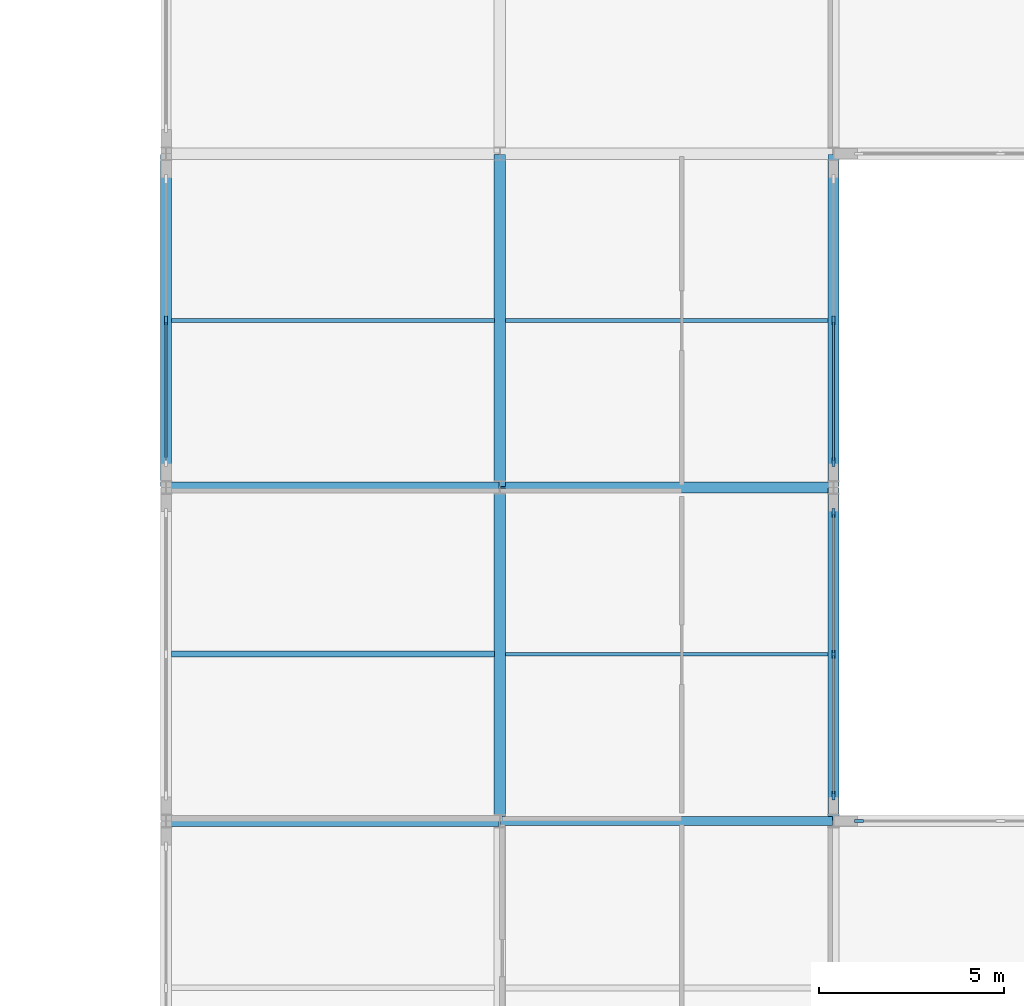
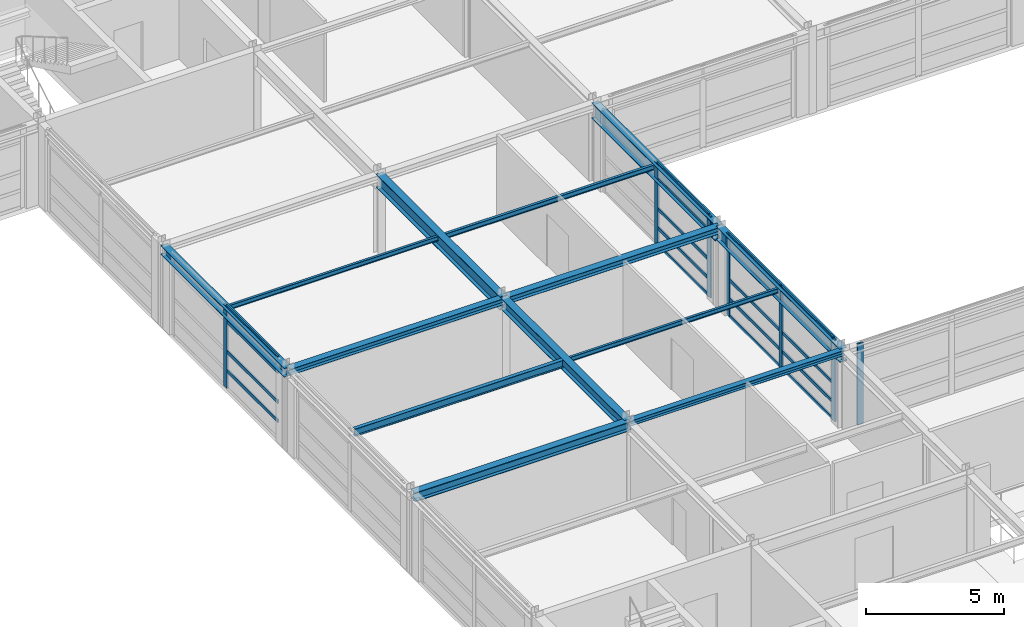
# One storey, part 26 of 79: 26 members, 13 beams, 4 elements without a shape of their own.
"""IFC4 building model written with IfcOpenShell, lengths in metres."""

from ifc_helpers import new_model, si_unit, direction, frame, origin, origin_2d, place, context, subcontext, project, spatial, rectangle, i_section, extrude, material, material_profile, profile_set, type_object, element, aggregate, save


model = new_model("IFC4")

# Units and contexts
model_context = context("Model", 3, precision=1e-05, world=origin(), true_north=direction((0.0, 1.0)))
body_context = subcontext(model_context, "Body", "Model", "MODEL_VIEW")
ifc_project = project(units=[si_unit("LENGTHUNIT", "METRE"), si_unit("AREAUNIT", "SQUARE_METRE"), si_unit("VOLUMEUNIT", "CUBIC_METRE"), si_unit("PLANEANGLEUNIT", "RADIAN"), si_unit("MASSUNIT", "GRAM", prefix="KILO")], contexts=[model_context])

# Site, building, storey
site_placement = place(None, origin())
site = spatial("IfcSite", under=ifc_project, at=site_placement, CompositionType="ELEMENT")
building_placement = place(site_placement, origin())
building = spatial("IfcBuilding", under=site, at=building_placement, Name="Palais des Congres Ocreval", CompositionType="ELEMENT")
storey_placement = place(building_placement, frame((0.0, 0.0, 4.320068359375)))
storey = spatial("IfcBuildingStorey", under=building, at=storey_placement, Name="L01", CompositionType="ELEMENT", Elevation=4.320068359375)

# Curtain wall, member
ifc_material_1 = material(Name="Anodized bronze aluminium and low-E glass", Category="glass")
curtain_wall_type = type_object("IfcCurtainWallType", Name="Unitised Curtain Wall 7900x3660", PredefinedType="USERDEFINED", material=ifc_material_1)
curtain_wall_1_placement = place(storey_placement, origin())
curtain_wall_1 = element("IfcCurtainWall", 1, at=curtain_wall_1_placement, inside=storey, type_object=curtain_wall_type, Name="Unitised Curtain Wall CW02 L01", ObjectType="UNITISED CURTAIN WALL", PredefinedType="USERDEFINED")
ifc_material_2 = material(Name="Anodized bronze aluminium", Category="aluminium")
ifc_material_profile_1 = material_profile(ifc_material_2, rectangle(XDim=0.074951171875, YDim=0.239990234375, at=origin_2d()), Name="ALU 75x240")
ifc_profile_set_1 = profile_set([ifc_material_profile_1], Name="Anodized bronze aluminium")
member_type_1 = type_object("IfcMemberType", Name="Curtain Wall Mullion ALU 75x240", PredefinedType="MULLION", material=ifc_profile_set_1)
member_1_placement = place(storey_placement, frame((108.0, 31.5, 0.0), z_axis=(0.0, 0.0, 1.0), x_axis=(-1.0, 0.0, 0.0)))
member_1 = element("IfcMember", 2, at=member_1_placement, type_object=member_type_1, Name="Curtain Wall Mullion ML01", PredefinedType="MULLION", context=body_context, shape_type="SweptSolid", body=[
    extrude(rectangle(XDim=0.074951171875, YDim=0.239990234375, at=origin_2d()), origin(), (0.0, 0.0, 1.0), 3.599853515625),
])

# Curtain wall, members
curtain_wall_2_placement = place(storey_placement, origin())
curtain_wall_2 = element("IfcCurtainWall", 3, at=curtain_wall_2_placement, inside=storey, type_object=curtain_wall_type, Name="Unitised Curtain Wall CW02 L01", ObjectType="UNITISED CURTAIN WALL", PredefinedType="USERDEFINED")
member_2_placement = place(storey_placement, frame((126.0, 31.5, 0.0), z_axis=(0.0, 0.0, 1.0), x_axis=(1.0, 0.0, 0.0)))
member_2 = element("IfcMember", 4, at=member_2_placement, type_object=member_type_1, Name="Curtain Wall Mullion ML01", PredefinedType="MULLION", context=body_context, shape_type="SweptSolid", body=[
    extrude(rectangle(XDim=0.074951171875, YDim=0.239990234375, at=origin_2d()), origin(), (0.0, 0.0, 1.0), 3.599853515625),
])
member_3_placement = place(storey_placement, frame((126.0, 27.6875, 0.0), z_axis=(0.0, 0.0, 1.0), x_axis=(1.0, 0.0, 0.0)))
member_3 = element("IfcMember", 5, at=member_3_placement, type_object=member_type_1, Name="Curtain Wall Mullion ML01", PredefinedType="MULLION", context=body_context, shape_type="SweptSolid", body=[
    extrude(rectangle(XDim=0.074951171875, YDim=0.239990234375, at=origin_2d()), origin(), (0.0, 0.0, 1.0), 3.599853515625),
])

curtain_wall_3_placement = place(storey_placement, origin())
curtain_wall_3 = element("IfcCurtainWall", 6, at=curtain_wall_3_placement, inside=storey, type_object=curtain_wall_type, Name="Unitised Curtain Wall CW02 L01", ObjectType="UNITISED CURTAIN WALL", PredefinedType="USERDEFINED")
member_4_placement = place(storey_placement, frame((126.0, 26.3125, 0.0), z_axis=(0.0, 0.0, 1.0), x_axis=(1.0, 0.0, 0.0)))
member_4 = element("IfcMember", 7, at=member_4_placement, type_object=member_type_1, Name="Curtain Wall Mullion ML01", PredefinedType="MULLION", context=body_context, shape_type="SweptSolid", body=[
    extrude(rectangle(XDim=0.074951171875, YDim=0.239990234375, at=origin_2d()), origin(), (0.0, 0.0, 1.0), 3.599853515625),
])
member_5_placement = place(storey_placement, frame((126.0, 22.5, 0.0), z_axis=(0.0, 0.0, 1.0), x_axis=(1.0, 0.0, 0.0)))
member_5 = element("IfcMember", 8, at=member_5_placement, type_object=member_type_1, Name="Curtain Wall Mullion ML01", PredefinedType="MULLION", context=body_context, shape_type="SweptSolid", body=[
    extrude(rectangle(XDim=0.074951171875, YDim=0.239990234375, at=origin_2d()), origin(), (0.0, 0.0, 1.0), 3.599853515625),
])
member_6_placement = place(storey_placement, frame((126.0, 18.6875, 0.0), z_axis=(0.0, 0.0, 1.0), x_axis=(1.0, 0.0, 0.0)))
member_6 = element("IfcMember", 9, at=member_6_placement, type_object=member_type_1, Name="Curtain Wall Mullion ML01", PredefinedType="MULLION", context=body_context, shape_type="SweptSolid", body=[
    extrude(rectangle(XDim=0.074951171875, YDim=0.239990234375, at=origin_2d()), origin(), (0.0, 0.0, 1.0), 3.599853515625),
])

# Curtain wall, member
curtain_wall_4_placement = place(storey_placement, origin())
curtain_wall_4 = element("IfcCurtainWall", 10, at=curtain_wall_4_placement, inside=storey, type_object=curtain_wall_type, Name="Unitised Curtain Wall CW02 L01", ObjectType="UNITISED CURTAIN WALL", PredefinedType="USERDEFINED")
member_7_placement = place(storey_placement, frame((126.6875, 18.0, 0.0), z_axis=(0.0, 0.0, 1.0), x_axis=(0.0, 1.0, 0.0)))
member_7 = element("IfcMember", 11, at=member_7_placement, type_object=member_type_1, Name="Curtain Wall Mullion ML01", PredefinedType="MULLION", context=body_context, shape_type="SweptSolid", body=[
    extrude(rectangle(XDim=0.074951171875, YDim=0.239990234375, at=origin_2d()), origin(), (0.0, 0.0, 1.0), 3.599853515625),
])
aggregate(curtain_wall_4, [member_7])

# Member
ifc_material_profile_2 = material_profile(ifc_material_2, rectangle(XDim=0.06005859375, YDim=0.14990234375, at=origin_2d()), Name="ALU 60x150")
ifc_profile_set_2 = profile_set([ifc_material_profile_2], Name="Anodized bronze aluminium")
member_type_2 = type_object("IfcMemberType", Name="Curtain Wall Transom ALU 60x150", PredefinedType="USERDEFINED", material=ifc_profile_set_2)
member_8_placement = place(storey_placement, frame((108.0, 27.72509765625, 0.780029296875), z_axis=(0.0, 1.0, 0.0), x_axis=(-1.0, 0.0, 0.0)))
member_8 = element("IfcMember", 12, at=member_8_placement, type_object=member_type_2, Name="Curtain Wall Transom TR01", ObjectType="TRANSOM", PredefinedType="USERDEFINED", context=body_context, shape_type="SweptSolid", body=[
    extrude(rectangle(XDim=0.06005859375, YDim=0.14990234375, at=origin_2d()), origin(), (0.0, 0.0, 1.0), 3.7373046875),
])

member_9_placement = place(storey_placement, frame((108.0, 27.72509765625, 1.622314453125), z_axis=(0.0, 1.0, 0.0), x_axis=(-1.0, 0.0, 0.0)))
member_9 = element("IfcMember", 13, at=member_9_placement, type_object=member_type_2, Name="Curtain Wall Transom TR01", ObjectType="TRANSOM", PredefinedType="USERDEFINED", context=body_context, shape_type="SweptSolid", body=[
    extrude(rectangle(XDim=0.06005859375, YDim=0.14990234375, at=origin_2d()), origin(), (0.0, 0.0, 1.0), 3.7373046875),
])

member_10_placement = place(storey_placement, frame((108.0, 27.72509765625, 2.949951171875), z_axis=(0.0, 1.0, 0.0), x_axis=(-1.0, 0.0, 0.0)))
member_10 = element("IfcMember", 14, at=member_10_placement, type_object=member_type_2, Name="Curtain Wall Transom TR01", ObjectType="TRANSOM", PredefinedType="USERDEFINED", context=body_context, shape_type="SweptSolid", body=[
    extrude(rectangle(XDim=0.06005859375, YDim=0.14990234375, at=origin_2d()), origin(), (0.0, 0.0, 1.0), 3.7373046875),
])

member_11_placement = place(storey_placement, frame((108.0, 27.72509765625, 3.56982421875), z_axis=(0.0, 1.0, 0.0), x_axis=(-1.0, 0.0, 0.0)))
member_11 = element("IfcMember", 15, at=member_11_placement, type_object=member_type_2, Name="Curtain Wall Transom TR01", ObjectType="TRANSOM", PredefinedType="USERDEFINED", context=body_context, shape_type="SweptSolid", body=[
    extrude(rectangle(XDim=0.06005859375, YDim=0.14990234375, at=origin_2d()), origin(), (0.0, 0.0, 1.0), 3.7373046875),
])

aggregate(curtain_wall_1, [member_1, member_8, member_9, member_10, member_11])

member_12_placement = place(storey_placement, frame((126.0, 31.46240234375, 0.030029296875), z_axis=(0.0, -1.0, 0.0), x_axis=(1.0, 0.0, 0.0)))
member_12 = element("IfcMember", 16, at=member_12_placement, type_object=member_type_2, Name="Curtain Wall Transom TR01", ObjectType="TRANSOM", PredefinedType="USERDEFINED", context=body_context, shape_type="SweptSolid", body=[
    extrude(rectangle(XDim=0.06005859375, YDim=0.14990234375, at=origin_2d()), origin(), (0.0, 0.0, 1.0), 3.7373046875),
])

member_13_placement = place(storey_placement, frame((126.0, 31.46240234375, 0.780029296875), z_axis=(0.0, -1.0, 0.0), x_axis=(1.0, 0.0, 0.0)))
member_13 = element("IfcMember", 17, at=member_13_placement, type_object=member_type_2, Name="Curtain Wall Transom TR01", ObjectType="TRANSOM", PredefinedType="USERDEFINED", context=body_context, shape_type="SweptSolid", body=[
    extrude(rectangle(XDim=0.06005859375, YDim=0.14990234375, at=origin_2d()), origin(), (0.0, 0.0, 1.0), 3.7373046875),
])

member_14_placement = place(storey_placement, frame((126.0, 31.46240234375, 1.622314453125), z_axis=(0.0, -1.0, 0.0), x_axis=(1.0, 0.0, 0.0)))
member_14 = element("IfcMember", 18, at=member_14_placement, type_object=member_type_2, Name="Curtain Wall Transom TR01", ObjectType="TRANSOM", PredefinedType="USERDEFINED", context=body_context, shape_type="SweptSolid", body=[
    extrude(rectangle(XDim=0.06005859375, YDim=0.14990234375, at=origin_2d()), origin(), (0.0, 0.0, 1.0), 3.7373046875),
])

member_15_placement = place(storey_placement, frame((126.0, 31.46240234375, 2.949951171875), z_axis=(0.0, -1.0, 0.0), x_axis=(1.0, 0.0, 0.0)))
member_15 = element("IfcMember", 19, at=member_15_placement, type_object=member_type_2, Name="Curtain Wall Transom TR01", ObjectType="TRANSOM", PredefinedType="USERDEFINED", context=body_context, shape_type="SweptSolid", body=[
    extrude(rectangle(XDim=0.06005859375, YDim=0.14990234375, at=origin_2d()), origin(), (0.0, 0.0, 1.0), 3.7373046875),
])

member_16_placement = place(storey_placement, frame((126.0, 31.46240234375, 3.56982421875), z_axis=(0.0, -1.0, 0.0), x_axis=(1.0, 0.0, 0.0)))
member_16 = element("IfcMember", 20, at=member_16_placement, type_object=member_type_2, Name="Curtain Wall Transom TR01", ObjectType="TRANSOM", PredefinedType="USERDEFINED", context=body_context, shape_type="SweptSolid", body=[
    extrude(rectangle(XDim=0.06005859375, YDim=0.14990234375, at=origin_2d()), origin(), (0.0, 0.0, 1.0), 3.7373046875),
])

aggregate(curtain_wall_2, [member_2, member_3, member_12, member_13, member_14, member_15, member_16])

member_17_placement = place(storey_placement, frame((126.0, 26.27490234375, 0.030029296875), z_axis=(0.0, -1.0, 0.0), x_axis=(1.0, 0.0, 0.0)))
member_17 = element("IfcMember", 21, at=member_17_placement, type_object=member_type_2, Name="Curtain Wall Transom TR01", ObjectType="TRANSOM", PredefinedType="USERDEFINED", context=body_context, shape_type="SweptSolid", body=[
    extrude(rectangle(XDim=0.06005859375, YDim=0.14990234375, at=origin_2d()), origin(), (0.0, 0.0, 1.0), 3.7373046875),
])

member_18_placement = place(storey_placement, frame((126.0, 26.27490234375, 0.780029296875), z_axis=(0.0, -1.0, 0.0), x_axis=(1.0, 0.0, 0.0)))
member_18 = element("IfcMember", 22, at=member_18_placement, type_object=member_type_2, Name="Curtain Wall Transom TR01", ObjectType="TRANSOM", PredefinedType="USERDEFINED", context=body_context, shape_type="SweptSolid", body=[
    extrude(rectangle(XDim=0.06005859375, YDim=0.14990234375, at=origin_2d()), origin(), (0.0, 0.0, 1.0), 3.7373046875),
])

member_19_placement = place(storey_placement, frame((126.0, 26.27490234375, 1.622314453125), z_axis=(0.0, -1.0, 0.0), x_axis=(1.0, 0.0, 0.0)))
member_19 = element("IfcMember", 23, at=member_19_placement, type_object=member_type_2, Name="Curtain Wall Transom TR01", ObjectType="TRANSOM", PredefinedType="USERDEFINED", context=body_context, shape_type="SweptSolid", body=[
    extrude(rectangle(XDim=0.06005859375, YDim=0.14990234375, at=origin_2d()), origin(), (0.0, 0.0, 1.0), 3.7373046875),
])

member_20_placement = place(storey_placement, frame((126.0, 26.27490234375, 2.949951171875), z_axis=(0.0, -1.0, 0.0), x_axis=(1.0, 0.0, 0.0)))
member_20 = element("IfcMember", 24, at=member_20_placement, type_object=member_type_2, Name="Curtain Wall Transom TR01", ObjectType="TRANSOM", PredefinedType="USERDEFINED", context=body_context, shape_type="SweptSolid", body=[
    extrude(rectangle(XDim=0.06005859375, YDim=0.14990234375, at=origin_2d()), origin(), (0.0, 0.0, 1.0), 3.7373046875),
])

member_21_placement = place(storey_placement, frame((126.0, 26.27490234375, 3.56982421875), z_axis=(0.0, -1.0, 0.0), x_axis=(1.0, 0.0, 0.0)))
member_21 = element("IfcMember", 25, at=member_21_placement, type_object=member_type_2, Name="Curtain Wall Transom TR01", ObjectType="TRANSOM", PredefinedType="USERDEFINED", context=body_context, shape_type="SweptSolid", body=[
    extrude(rectangle(XDim=0.06005859375, YDim=0.14990234375, at=origin_2d()), origin(), (0.0, 0.0, 1.0), 3.7373046875),
])

member_22_placement = place(storey_placement, frame((126.0, 22.46240234375, 0.030029296875), z_axis=(0.0, -1.0, 0.0), x_axis=(1.0, 0.0, 0.0)))
member_22 = element("IfcMember", 26, at=member_22_placement, type_object=member_type_2, Name="Curtain Wall Transom TR01", ObjectType="TRANSOM", PredefinedType="USERDEFINED", context=body_context, shape_type="SweptSolid", body=[
    extrude(rectangle(XDim=0.06005859375, YDim=0.14990234375, at=origin_2d()), origin(), (0.0, 0.0, 1.0), 3.7373046875),
])

member_23_placement = place(storey_placement, frame((126.0, 22.46240234375, 0.780029296875), z_axis=(0.0, -1.0, 0.0), x_axis=(1.0, 0.0, 0.0)))
member_23 = element("IfcMember", 27, at=member_23_placement, type_object=member_type_2, Name="Curtain Wall Transom TR01", ObjectType="TRANSOM", PredefinedType="USERDEFINED", context=body_context, shape_type="SweptSolid", body=[
    extrude(rectangle(XDim=0.06005859375, YDim=0.14990234375, at=origin_2d()), origin(), (0.0, 0.0, 1.0), 3.7373046875),
])

member_24_placement = place(storey_placement, frame((126.0, 22.46240234375, 1.622314453125), z_axis=(0.0, -1.0, 0.0), x_axis=(1.0, 0.0, 0.0)))
member_24 = element("IfcMember", 28, at=member_24_placement, type_object=member_type_2, Name="Curtain Wall Transom TR01", ObjectType="TRANSOM", PredefinedType="USERDEFINED", context=body_context, shape_type="SweptSolid", body=[
    extrude(rectangle(XDim=0.06005859375, YDim=0.14990234375, at=origin_2d()), origin(), (0.0, 0.0, 1.0), 3.7373046875),
])

member_25_placement = place(storey_placement, frame((126.0, 22.46240234375, 2.949951171875), z_axis=(0.0, -1.0, 0.0), x_axis=(1.0, 0.0, 0.0)))
member_25 = element("IfcMember", 29, at=member_25_placement, type_object=member_type_2, Name="Curtain Wall Transom TR01", ObjectType="TRANSOM", PredefinedType="USERDEFINED", context=body_context, shape_type="SweptSolid", body=[
    extrude(rectangle(XDim=0.06005859375, YDim=0.14990234375, at=origin_2d()), origin(), (0.0, 0.0, 1.0), 3.7373046875),
])

member_26_placement = place(storey_placement, frame((126.0, 22.46240234375, 3.56982421875), z_axis=(0.0, -1.0, 0.0), x_axis=(1.0, 0.0, 0.0)))
member_26 = element("IfcMember", 30, at=member_26_placement, type_object=member_type_2, Name="Curtain Wall Transom TR01", ObjectType="TRANSOM", PredefinedType="USERDEFINED", context=body_context, shape_type="SweptSolid", body=[
    extrude(rectangle(XDim=0.06005859375, YDim=0.14990234375, at=origin_2d()), origin(), (0.0, 0.0, 1.0), 3.7373046875),
])

aggregate(curtain_wall_3, [member_4, member_5, member_6, member_17, member_18, member_19, member_20, member_21, member_22, member_23, member_24, member_25, member_26])

# Beams
ifc_material_3 = material(Name="Steel S355", Category="steel")
ifc_material_profile_3 = material_profile(ifc_material_3, i_section(OverallWidth=0.239990234375, OverallDepth=0.22998046875, WebThickness=0.007568359375, FlangeThickness=0.011962890625, at=origin_2d()), Name="HEA 240")
ifc_profile_set_3 = profile_set([ifc_material_profile_3], Name="Steel S355")
beam_type_1 = type_object("IfcBeamType", Name="Perimeter Spandrel HEA 240 Steel S355", PredefinedType="SPANDREL", material=ifc_profile_set_3)
beam_1_placement = place(storey_placement, frame((117.02001953125, 18.0, 3.46484375), z_axis=(1.0, 0.0, 0.0), x_axis=(0.0, 1.0, 0.0)))
element("IfcBeam", 31, at=beam_1_placement, inside=storey, type_object=beam_type_1, Name="Beam SP01 L01", PredefinedType="SPANDREL", context=body_context, shape_type="SweptSolid", body=[
    extrude(i_section(OverallWidth=0.239990234375, OverallDepth=0.22998046875, WebThickness=0.007568359375, FlangeThickness=0.011962890625, at=origin_2d()), origin(), (0.0, 0.0, 1.0), 8.9599609375),
])
ifc_material_profile_4 = material_profile(ifc_material_3, i_section(OverallWidth=0.300048828125, OverallDepth=0.39990234375, WebThickness=0.013427734375, FlangeThickness=0.02392578125, at=origin_2d()), Name="HEB 400")
ifc_profile_set_4 = profile_set([ifc_material_profile_4], Name="Steel S355")
beam_type_2 = type_object("IfcBeamType", Name="Perimeter Spandrel HEB 400 Steel S355", PredefinedType="SPANDREL", material=ifc_profile_set_4)
for number, where, z_axis, x_axis, name in (
    (32, (108.02001953125, 18.0, 3.3798828125), (1.0, 0.0, 0.0), (0.0, 1.0, 0.0), "Beam SP04 L01"),
    (33, (108.0, 27.02001953125, 3.3798828125), (0.0, 1.0, 0.0), (-1.0, 0.0, 0.0), "Girder SP04 L01"),
):
    element("IfcBeam", number, at=place(storey_placement, frame(where, z_axis=z_axis, x_axis=x_axis)), inside=storey, type_object=beam_type_2, Name=name, PredefinedType="SPANDREL", context=body_context, shape_type="SweptSolid", body=[
        extrude(i_section(OverallWidth=0.300048828125, OverallDepth=0.39990234375, WebThickness=0.013427734375, FlangeThickness=0.02392578125, at=origin_2d()), origin(), (0.0, 0.0, 1.0), 8.9599609375),
    ])
ifc_material_profile_5 = material_profile(ifc_material_3, i_section(OverallWidth=0.280029296875, OverallDepth=0.27001953125, WebThickness=0.008056640625, FlangeThickness=0.012939453125, at=origin_2d()), Name="HEA 280")
ifc_profile_set_5 = profile_set([ifc_material_profile_5], Name="Steel S355")
beam_type_3 = type_object("IfcBeamType", Name="Primary Beam HEA 280 Steel S355", PredefinedType="BEAM", material=ifc_profile_set_5)
beam_2_placement = place(storey_placement, frame((108.02001953125, 27.0, 3.44482421875), z_axis=(1.0, 0.0, 0.0), x_axis=(0.0, 1.0, 0.0)))
element("IfcBeam", 34, at=beam_2_placement, inside=storey, type_object=beam_type_3, Name="Beam B07 L01", PredefinedType="BEAM", context=body_context, shape_type="SweptSolid", body=[
    extrude(i_section(OverallWidth=0.280029296875, OverallDepth=0.27001953125, WebThickness=0.008056640625, FlangeThickness=0.012939453125, at=origin_2d()), origin(), (0.0, 0.0, 1.0), 8.9599609375),
])
ifc_material_profile_6 = material_profile(ifc_material_3, i_section(OverallWidth=0.300048828125, OverallDepth=0.2900390625, WebThickness=0.008544921875, FlangeThickness=0.013916015625, at=origin_2d()), Name="HEA 300")
ifc_profile_set_6 = profile_set([ifc_material_profile_6], Name="Steel S355")
beam_type_4 = type_object("IfcBeamType", Name="Primary Beam HEA 300 Steel S355", PredefinedType="BEAM", material=ifc_profile_set_6)
beam_3_placement = place(storey_placement, frame((117.02001953125, 27.0, 3.434814453125), z_axis=(1.0, 0.0, 0.0), x_axis=(0.0, 1.0, 0.0)))
element("IfcBeam", 35, at=beam_3_placement, inside=storey, type_object=beam_type_4, Name="Beam B08 L01", PredefinedType="BEAM", context=body_context, shape_type="SweptSolid", body=[
    extrude(i_section(OverallWidth=0.300048828125, OverallDepth=0.2900390625, WebThickness=0.008544921875, FlangeThickness=0.013916015625, at=origin_2d()), origin(), (0.0, 0.0, 1.0), 8.9599609375),
])
ifc_material_profile_7 = material_profile(ifc_material_3, i_section(OverallWidth=0.300048828125, OverallDepth=0.489990234375, WebThickness=0.011962890625, FlangeThickness=0.02294921875, at=origin_2d()), Name="HEA 500")
ifc_profile_set_7 = profile_set([ifc_material_profile_7], Name="Steel S355")
beam_type_5 = type_object("IfcBeamType", Name="Primary Beam HEA 500 Steel S355", PredefinedType="BEAM", material=ifc_profile_set_7)
beam_4_placement = place(storey_placement, frame((117.0, 18.02001953125, 3.3349609375), z_axis=(0.0, 1.0, 0.0), x_axis=(-1.0, 0.0, 0.0)))
element("IfcBeam", 36, at=beam_4_placement, inside=storey, type_object=beam_type_5, Name="Girder B12 L01", PredefinedType="BEAM", context=body_context, shape_type="SweptSolid", body=[
    extrude(i_section(OverallWidth=0.300048828125, OverallDepth=0.489990234375, WebThickness=0.011962890625, FlangeThickness=0.02294921875, at=origin_2d()), origin(), (0.0, 0.0, 1.0), 8.9599609375),
])
ifc_material_profile_8 = material_profile(ifc_material_3, i_section(OverallWidth=0.300048828125, OverallDepth=0.590087890625, WebThickness=0.012939453125, FlangeThickness=0.02490234375, at=origin_2d()), Name="HEA 600")
ifc_profile_set_8 = profile_set([ifc_material_profile_8], Name="Steel S355")
beam_type_6 = type_object("IfcBeamType", Name="Primary Girder HEA 600 Steel S355", PredefinedType="BEAM", material=ifc_profile_set_8)
for number, where, z_axis, x_axis, name in (
    (37, (117.0, 27.02001953125, 3.284912109375), (0.0, 1.0, 0.0), (-1.0, 0.0, 0.0), "Girder B13 L01"),
    (38, (126.0, 18.02001953125, 3.284912109375), (0.0, 1.0, 0.0), (-1.0, 0.0, 0.0), "Girder B13 L01"),
):
    element("IfcBeam", number, at=place(storey_placement, frame(where, z_axis=z_axis, x_axis=x_axis)), inside=storey, type_object=beam_type_6, Name=name, PredefinedType="BEAM", context=body_context, shape_type="SweptSolid", body=[
        extrude(i_section(OverallWidth=0.300048828125, OverallDepth=0.590087890625, WebThickness=0.012939453125, FlangeThickness=0.02490234375, at=origin_2d()), origin(), (0.0, 0.0, 1.0), 8.9599609375),
    ])
ifc_material_profile_9 = material_profile(ifc_material_3, i_section(OverallWidth=0.300048828125, OverallDepth=0.68994140625, WebThickness=0.014404296875, FlangeThickness=0.027099609375, at=origin_2d()), Name="HEA 700")
ifc_profile_set_9 = profile_set([ifc_material_profile_9], Name="Steel S355")
beam_type_7 = type_object("IfcBeamType", Name="Primary Girder HEA 700 Steel S355", PredefinedType="BEAM", material=ifc_profile_set_9)
beam_5_placement = place(storey_placement, frame((126.0, 27.02001953125, 3.23486328125), z_axis=(0.0, 1.0, 0.0), x_axis=(-1.0, 0.0, 0.0)))
element("IfcBeam", 39, at=beam_5_placement, inside=storey, type_object=beam_type_7, Name="Girder B14 L01", PredefinedType="BEAM", context=body_context, shape_type="SweptSolid", body=[
    extrude(i_section(OverallWidth=0.300048828125, OverallDepth=0.68994140625, WebThickness=0.014404296875, FlangeThickness=0.027099609375, at=origin_2d()), origin(), (0.0, 0.0, 1.0), 8.9599609375),
])
ifc_material_profile_10 = material_profile(ifc_material_3, i_section(OverallWidth=0.10009765625, OverallDepth=0.199951171875, WebThickness=0.005615234375, FlangeThickness=0.008544921875, at=origin_2d()), Name="IPE 200")
ifc_profile_set_10 = profile_set([ifc_material_profile_10], Name="Steel S355")
beam_type_8 = type_object("IfcBeamType", Name="Secondary Joist IPE 200 Steel S355", PredefinedType="JOIST", material=ifc_profile_set_10)
for number, where, z_axis, x_axis, name in (
    (40, (108.14990234375, 31.5, 3.47998046875), (1.0, 0.0, 0.0), (0.0, 1.0, 0.0), "Secondary Joist J01 L01"),
    (41, (117.14990234375, 22.5, 3.47998046875), (1.0, 0.0, 0.0), (0.0, 1.0, 0.0), "Secondary Joist J01 L01"),
):
    element("IfcBeam", number, at=place(storey_placement, frame(where, z_axis=z_axis, x_axis=x_axis)), inside=storey, type_object=beam_type_8, Name=name, PredefinedType="JOIST", context=body_context, shape_type="SweptSolid", body=[
        extrude(i_section(OverallWidth=0.10009765625, OverallDepth=0.199951171875, WebThickness=0.005615234375, FlangeThickness=0.008544921875, at=origin_2d()), origin(), (0.0, 0.0, 1.0), 8.7001953125),
    ])
ifc_material_profile_11 = material_profile(ifc_material_3, i_section(OverallWidth=0.110107421875, OverallDepth=0.219970703125, WebThickness=0.005859375, FlangeThickness=0.00927734375, at=origin_2d()), Name="IPE 220")
ifc_profile_set_11 = profile_set([ifc_material_profile_11], Name="Steel S355")
beam_type_9 = type_object("IfcBeamType", Name="Secondary Joist IPE 220 Steel S355", PredefinedType="JOIST", material=ifc_profile_set_11)
beam_6_placement = place(storey_placement, frame((117.14990234375, 31.5, 3.469970703125), z_axis=(1.0, 0.0, 0.0), x_axis=(0.0, 1.0, 0.0)))
element("IfcBeam", 42, at=beam_6_placement, inside=storey, type_object=beam_type_9, Name="Secondary Joist J02 L01", PredefinedType="JOIST", context=body_context, shape_type="SweptSolid", body=[
    extrude(i_section(OverallWidth=0.110107421875, OverallDepth=0.219970703125, WebThickness=0.005859375, FlangeThickness=0.00927734375, at=origin_2d()), origin(), (0.0, 0.0, 1.0), 8.7001953125),
])
ifc_material_profile_12 = material_profile(ifc_material_3, i_section(OverallWidth=0.159912109375, OverallDepth=0.330078125, WebThickness=0.007568359375, FlangeThickness=0.011474609375, at=origin_2d()), Name="IPE 330")
ifc_profile_set_12 = profile_set([ifc_material_profile_12], Name="Steel S355")
beam_type_10 = type_object("IfcBeamType", Name="Secondary Joist IPE 330 Steel S355", PredefinedType="JOIST", material=ifc_profile_set_12)
beam_7_placement = place(storey_placement, frame((108.14990234375, 22.5, 3.4150390625), z_axis=(1.0, 0.0, 0.0), x_axis=(0.0, 1.0, 0.0)))
element("IfcBeam", 43, at=beam_7_placement, inside=storey, type_object=beam_type_10, Name="Secondary Joist J06 L01", PredefinedType="JOIST", context=body_context, shape_type="SweptSolid", body=[
    extrude(i_section(OverallWidth=0.159912109375, OverallDepth=0.330078125, WebThickness=0.007568359375, FlangeThickness=0.011474609375, at=origin_2d()), origin(), (0.0, 0.0, 1.0), 8.7001953125),
])

save(model, "model.ifc")
